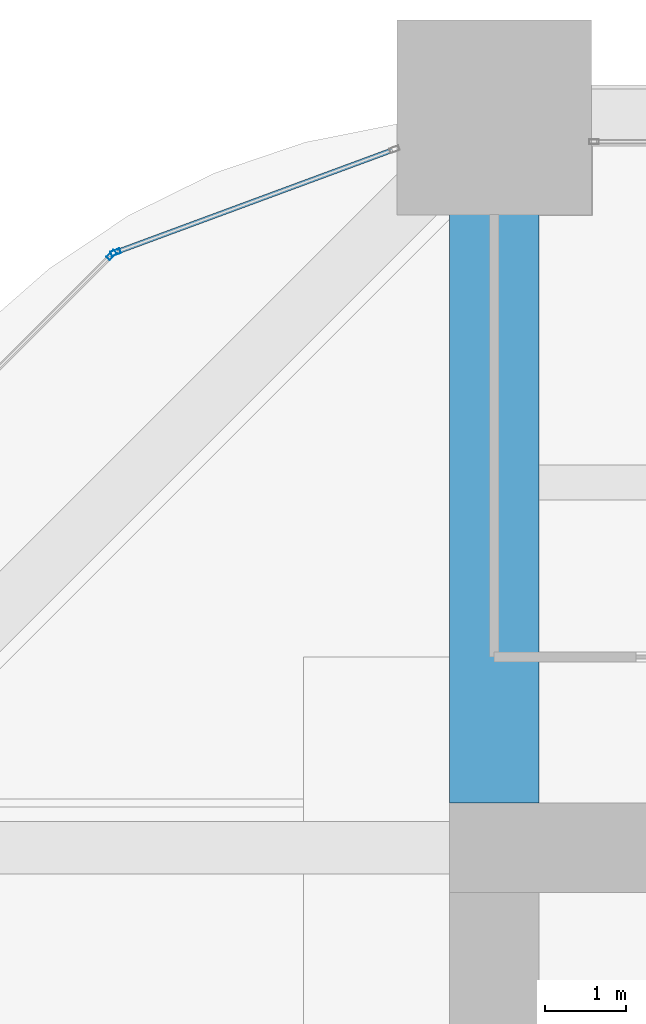
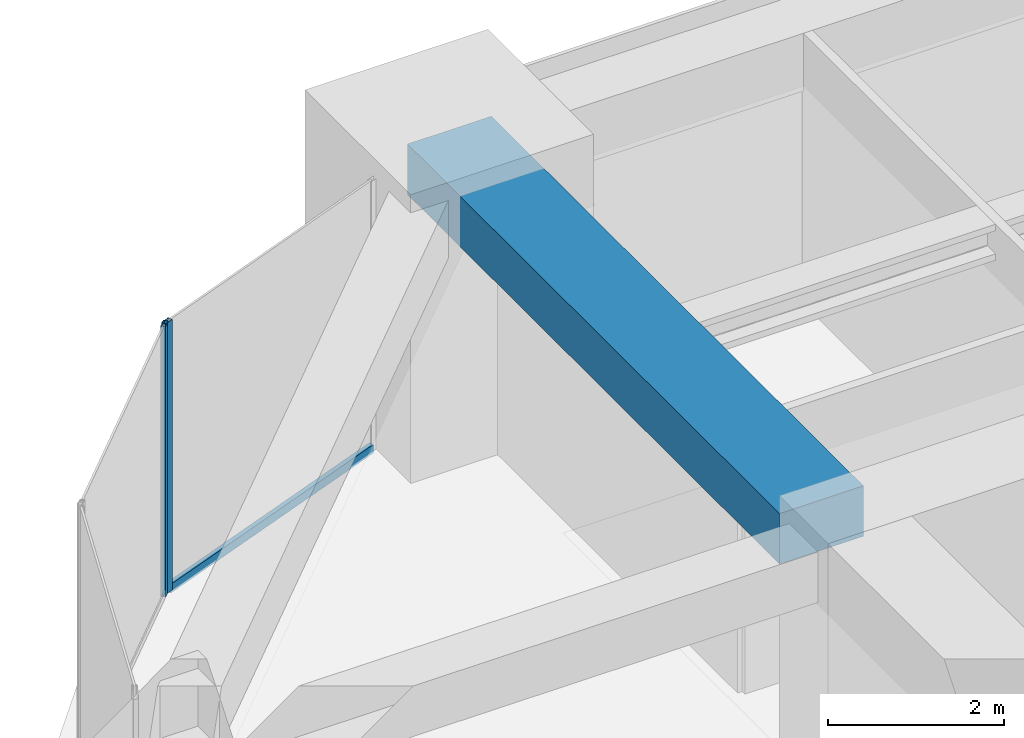
# One storey, part 30 of 45: 3 members, 1 beam, 2 elements without a shape of their own.
"""IFC4 building model written with IfcOpenShell, lengths in metres."""

from ifc_helpers import new_model, si_unit, direction, frame, origin, origin_2d, place, context, subcontext, project, spatial, rectangle, hollow_rectangle, extrude, material, material_profile, profile_set, type_object, element, aggregate, save


model = new_model("IFC4")

# Units and contexts
model_context = context("Model", 3, precision=1e-05, world=origin(), true_north=direction((0.0, 1.0)))
body_context = subcontext(model_context, "Body", "Model", "MODEL_VIEW")
ifc_project = project(units=[si_unit("LENGTHUNIT", "METRE"), si_unit("AREAUNIT", "SQUARE_METRE"), si_unit("VOLUMEUNIT", "CUBIC_METRE"), si_unit("PLANEANGLEUNIT", "RADIAN"), si_unit("MASSUNIT", "GRAM", prefix="KILO")], contexts=[model_context])

# Site, building, storey
site_placement = place(None, origin())
site = spatial("IfcSite", under=ifc_project, at=site_placement, CompositionType="ELEMENT")
building_placement = place(site_placement, origin())
building = spatial("IfcBuilding", under=site, at=building_placement, Name="Zorevar Civic Tower", CompositionType="ELEMENT")
storey_placement = place(building_placement, frame((0.0, 0.0, 247.39990234375)))
storey = spatial("IfcBuildingStorey", under=building, at=storey_placement, Name="L60", CompositionType="ELEMENT", Elevation=247.39990234375)

# Beam
ifc_material_1 = material(Name="Concrete C50/60", Category="concrete")
ifc_material_profile_1 = material_profile(ifc_material_1, rectangle(XDim=1.10009765625, YDim=0.699951171875, at=origin_2d()), Name="RC 1100x700")
ifc_profile_set_1 = profile_set([ifc_material_profile_1], Name="Concrete C50/60")
beam_type = type_object("IfcBeamType", Name="Beam RC 1100x700", PredefinedType="BEAM", material=ifc_profile_set_1)
beam_placement = place(storey_placement, frame((18.0, 36.550048828125, 3.400146484375), z_axis=(0.0, 1.0, 0.0), x_axis=(-1.0, 0.0, 0.0)))
element("IfcBeam", 1, at=beam_placement, inside=storey, type_object=beam_type, Name="Girder L61", PredefinedType="BEAM", context=body_context, shape_type="SweptSolid", body=[
    extrude(rectangle(XDim=1.10009765625, YDim=0.699951171875, at=origin_2d()), origin(), (0.0, 0.0, 1.0), 8.449951171875),
])

# Curtain wall, member
ifc_material_2 = material(Name="Dark grey solar-control glass in black aluminium frame", Category="aluminium")
curtain_wall_type = type_object("IfcCurtainWallType", Name="Curtain wall CW5 top zone", PredefinedType="NOTDEFINED", material=ifc_material_2)
curtain_wall_1_placement = place(storey_placement, origin())
curtain_wall_1 = element("IfcCurtainWall", 2, at=curtain_wall_1_placement, inside=storey, type_object=curtain_wall_type, Name="CW5 L60", PredefinedType="NOTDEFINED")
ifc_material_3 = material(Name="Aluminium, black anodised", Category="aluminium")
ifc_material_profile_2 = material_profile(ifc_material_3, hollow_rectangle(XDim=0.06005859375, YDim=0.1201171875, WallThickness=0.0029296875, at=origin_2d()), Name="AL 120x60x3")
ifc_profile_set_2 = profile_set([ifc_material_profile_2], Name="Aluminium, black anodised")
member_type_1 = type_object("IfcMemberType", Name="CW5 mullion AL 120x60x3", PredefinedType="MULLION", material=ifc_profile_set_2)
member_1_placement = place(storey_placement, frame((13.33544921875, 43.336181640625, 0.0), z_axis=(0.0, 0.0, 1.0), x_axis=(0.346704012033, -0.937974588163, 0.0)))
member_1 = element("IfcMember", 3, at=member_1_placement, type_object=member_type_1, Name="CW5 mullion 2", PredefinedType="MULLION", context=body_context, shape_type="SweptSolid", body=[
    extrude(hollow_rectangle(XDim=0.06005859375, YDim=0.1201171875, WallThickness=0.0029296875, at=origin_2d()), origin(), (0.0, 0.0, 1.0), 3.75),
])

curtain_wall_2_placement = place(storey_placement, origin())
curtain_wall_2 = element("IfcCurtainWall", 4, at=curtain_wall_2_placement, inside=storey, type_object=curtain_wall_type, Name="CW5 L60", PredefinedType="NOTDEFINED")
member_2_placement = place(storey_placement, frame((13.2861328125, 43.3046875, 0.0), z_axis=(0.0, 0.0, 1.0), x_axis=(0.707106781187, -0.707106781187, 0.0)))
member_2 = element("IfcMember", 5, at=member_2_placement, type_object=member_type_1, Name="CW5 mullion 1", PredefinedType="MULLION", context=body_context, shape_type="SweptSolid", body=[
    extrude(hollow_rectangle(XDim=0.06005859375, YDim=0.1201171875, WallThickness=0.0029296875, at=origin_2d()), origin(), (0.0, 0.0, 1.0), 3.75),
])
aggregate(curtain_wall_2, [member_2])

# Member
ifc_material_4 = material(Name="Aluminium, black anodised", Category="aluminium")
ifc_material_profile_3 = material_profile(ifc_material_4, hollow_rectangle(XDim=0.06005859375, YDim=0.1201171875, WallThickness=0.0029296875, at=origin_2d()), Name="AL 120x60x3")
ifc_profile_set_3 = profile_set([ifc_material_profile_3], Name="Aluminium, black anodised")
member_type_2 = type_object("IfcMemberType", Name="CW5 transom AL 120x60x3", PredefinedType="USERDEFINED", material=ifc_profile_set_3)
member_3_placement = place(storey_placement, frame((16.74365234375, 44.595947265625, 0.030029296875), z_axis=(-0.93798635741, -0.346672169799, 0.0), x_axis=(0.346672169799, -0.93798635741, 0.0)))
member_3 = element("IfcMember", 6, at=member_3_placement, type_object=member_type_2, Name="CW5 sill transom", ObjectType="TRANSOM", PredefinedType="USERDEFINED", context=body_context, shape_type="SweptSolid", body=[
    extrude(hollow_rectangle(XDim=0.06005859375, YDim=0.1201171875, WallThickness=0.0029296875, at=origin_2d()), origin(), (0.0, 0.0, 1.0), 3.603515625),
])

aggregate(curtain_wall_1, [member_1, member_3])

save(model, "model.ifc")
